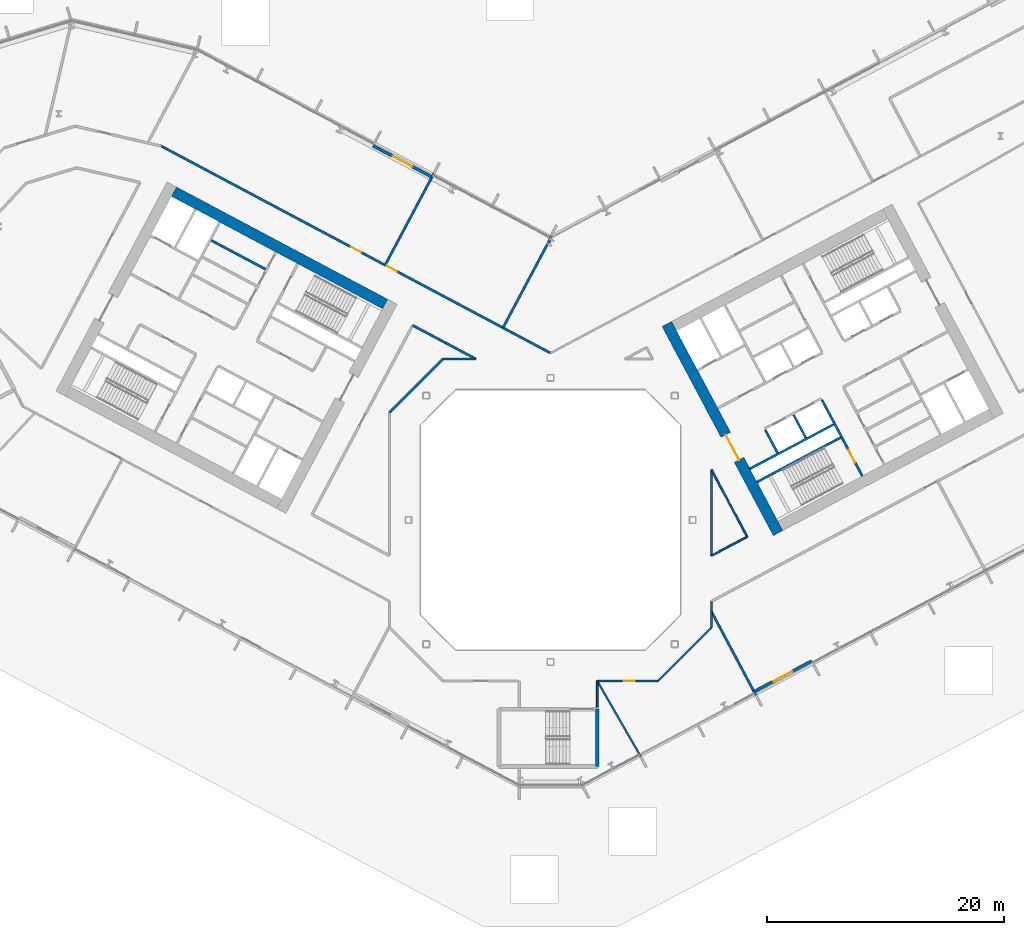
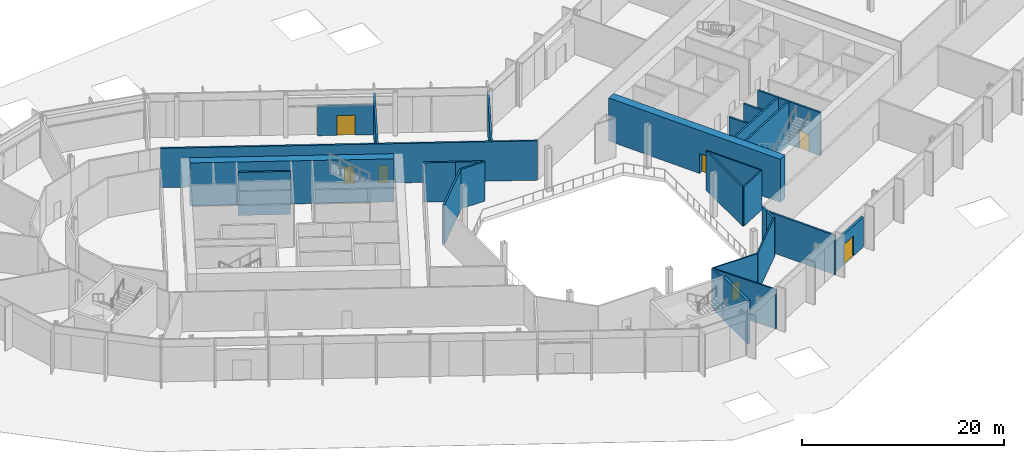
# One storey, part 14 of 30: 28 walls, 7 doors, 7 openings.
"""IFC4 building model written with IfcOpenShell, lengths in metres."""

from ifc_helpers import new_model, si_unit, direction, frame, frame_2d, origin, place, context, subcontext, project, spatial, rectangle, extrude, material, layer, layer_set, type_object, element, fill, save


model = new_model("IFC4")

# Units and contexts
model_context = context("Model", 3, precision=1e-05, world=origin(), true_north=direction((0.0, 1.0)))
body_context = subcontext(model_context, "Body", "Model", "MODEL_VIEW")
ifc_project = project(units=[si_unit("LENGTHUNIT", "METRE"), si_unit("AREAUNIT", "SQUARE_METRE"), si_unit("VOLUMEUNIT", "CUBIC_METRE"), si_unit("PLANEANGLEUNIT", "RADIAN"), si_unit("MASSUNIT", "GRAM", prefix="KILO")], contexts=[model_context])

# Site, building, storey
site_placement = place(None, origin())
site = spatial("IfcSite", under=ifc_project, at=site_placement, CompositionType="ELEMENT")
building_placement = place(site_placement, origin())
building = spatial("IfcBuilding", under=site, at=building_placement, Name="Cormorant Relay Tower", CompositionType="ELEMENT")
storey_placement = place(building_placement, frame((0.0, 0.0, 7.0)))
storey = spatial("IfcBuildingStorey", under=building, at=storey_placement, Name="L01", CompositionType="ELEMENT", Elevation=7.0)

# Walls
ifc_material_1 = material(Name="Concrete 40 MPa", Category="concrete")
ifc_layer_1 = layer(ifc_material_1, 0.199951171875)
ifc_layer_set_1 = layer_set([ifc_layer_1], Name="Core internal wall 200")
wall_type_1 = type_object("IfcWallType", Name="Core internal wall 200", PredefinedType="SOLIDWALL", material=ifc_layer_set_1)
wall_1_placement = place(storey_placement, frame((-24.073974609375, 21.181396484375, 0.0), z_axis=(0.0, 0.0, 1.0), x_axis=(-0.882953967957, 0.469459572775, 0.0)))
element("IfcWall", 1, at=wall_1_placement, inside=storey, type_object=wall_type_1, Name="L01 core A shaft and room wall", PredefinedType="SOLIDWALL", context=body_context, shape_type="SweptSolid", body=[
    extrude(rectangle(XDim=5.199951171875, YDim=0.199951171875, at=frame_2d((2.60009765625, 0.0))), origin(), (0.0, 0.0, 1.0), 5.199951171875),
])
wall_2_placement = place(storey_placement, frame((21.567626953125, 6.9375, 0.0), z_axis=(0.0, 0.0, 1.0), x_axis=(-0.469533832133, 0.882914480843, 0.0)))
element("IfcWall", 2, at=wall_2_placement, inside=storey, type_object=wall_type_1, Name="L01 core B shaft and room wall", PredefinedType="SOLIDWALL", context=body_context, shape_type="SweptSolid", body=[
    extrude(rectangle(XDim=2.199951171875, YDim=0.199951171875, at=frame_2d((1.10009765625, 0.0))), origin(), (0.0, 0.0, 1.0), 5.199951171875),
])
ifc_material_2 = material(Name="Concrete 50 MPa", Category="concrete")
ifc_layer_2 = layer(ifc_material_2, 0.199951171875)
ifc_layer_set_2 = layer_set([ifc_layer_2], Name="Core shaft wall 200")
wall_type_2 = type_object("IfcWallType", Name="Core shaft wall 200", PredefinedType="SHEAR", material=ifc_layer_set_2)
wall_3_placement = place(storey_placement, frame((19.18359375, 5.669921875, 0.0), z_axis=(0.0, 0.0, 1.0), x_axis=(-0.4694473164, 0.882960484464, 0.0)))
element("IfcWall", 3, at=wall_3_placement, inside=storey, type_object=wall_type_2, Name="L01 core B shaft wall", PredefinedType="SHEAR", context=body_context, shape_type="SweptSolid", body=[
    extrude(rectangle(XDim=2.199951171875, YDim=0.199951171875, at=frame_2d((1.10009765625, 0.0))), origin(), (0.0, 0.0, 1.0), 5.199951171875),
])

# Wall, opening, door
wall_4_placement = place(storey_placement, frame((26.345947265625, 3.701904296875, 0.0), z_axis=(0.0, 0.0, 1.0), x_axis=(-0.469480409012, 0.88294288918, 0.0)))
wall_4 = element("IfcWall", 4, at=wall_4_placement, inside=storey, type_object=wall_type_2, Name="L01 core B shaft wall", PredefinedType="SHEAR", context=body_context, shape_type="SweptSolid", body=[
    extrude(rectangle(XDim=7.300048828125, YDim=0.199951171875, at=frame_2d((3.64990234375, 0.0))), origin(), (0.0, 0.0, 1.0), 5.199951171875),
])
opening_1_placement = place(wall_4_placement, frame((1.300048828125, 0.0, 0.0)))
opening_1 = element("IfcOpeningElement", 5, at=opening_1_placement, cuts=wall_4, Name="Opening CDB-016", PredefinedType="OPENING", context=body_context, shape_type="SweptSolid", body=[
    extrude(rectangle(XDim=1.199951171875, YDim=2.10009765625, at=frame_2d((0.60009765625, 1.050048828125))), frame((0.0, 0.10986328125, 0.0), z_axis=(0.0, -1.0, 0.0), x_axis=(1.0, 0.0, 0.0)), (0.0, 0.0, 1.0), 0.219970703125),
])
ifc_material_3 = material(Name="Steel fire door", Category="steel")
door_type_1 = type_object("IfcDoorType", Name="Core stair door 1200x2100", OperationType="SINGLE_SWING_LEFT", PredefinedType="DOOR", material=ifc_material_3)
door_1_placement = place(opening_1_placement, origin())
door_1 = element("IfcDoor", 6, at=door_1_placement, inside=storey, type_object=door_type_1, Name="Core stair door 1200x2100", OperationType="SINGLE_SWING_RIGHT", OverallHeight=2.10009765625, OverallWidth=1.199951171875, PredefinedType="DOOR", context=body_context, shape_type="SweptSolid", body=[
    extrude(rectangle(XDim=1.199951171875, YDim=2.10009765625, at=frame_2d((0.60009765625, 1.050048828125))), frame((0.0, 0.02490234375, 0.0), z_axis=(0.0, -1.0, 0.0), x_axis=(1.0, 0.0, 0.0)), (0.0, 0.0, 1.0), 0.050048828125),
])
fill(opening_1, door_1)

# Walls
for number, where, z_axis, x_axis, name in (
    (7, (17.43359375, 3.210205078125, 0.0), (0.0, 0.0, 1.0), (0.882940221191, 0.469485426614, 0.0), "L01 core B shaft wall"),
    (8, (16.8466796875, 4.31396484375, 0.0), (0.0, 0.0, 1.0), (0.882940221191, 0.469485426614, 0.0), "L01 core B shaft wall"),
):
    element("IfcWall", number, at=place(storey_placement, frame(where, z_axis=z_axis, x_axis=x_axis)), inside=storey, type_object=wall_type_2, Name=name, PredefinedType="SHEAR", context=body_context, shape_type="SweptSolid", body=[
        extrude(rectangle(XDim=8.0, YDim=0.199951171875, at=frame_2d((4.0, 0.0))), origin(), (0.0, 0.0, 1.0), 5.199951171875),
    ])
ifc_material_4 = material(Name="Concrete 70 MPa", Category="concrete")
ifc_layer_3 = layer(ifc_material_4, 0.89990234375)
ifc_layer_set_3 = layer_set([ifc_layer_3], Name="Core wall 900")
wall_type_3 = type_object("IfcWallType", Name="Core wall 900", PredefinedType="SHEAR", material=ifc_layer_set_3)
wall_5_placement = place(storey_placement, frame((-13.97021484375, 18.244140625, 0.0), z_axis=(0.0, 0.0, 1.0), x_axis=(-0.88294509198, 0.469476266226, 0.0)))
element("IfcWall", 9, at=wall_5_placement, inside=storey, type_object=wall_type_3, Name="L01 core A wall", PredefinedType="SHEAR", context=body_context, shape_type="SweptSolid", body=[
    extrude(rectangle(XDim=20.199951171875, YDim=0.89990234375, at=frame_2d((10.10009765625, 0.0))), origin(), (0.0, 0.0, 1.0), 5.199951171875),
])

# Wall, opening, door
wall_6_placement = place(storey_placement, frame((19.21923828125, -1.106689453125, 0.0), z_axis=(0.0, 0.0, 1.0), x_axis=(-0.46947084998, 0.882947971864, 0.0)))
wall_6 = element("IfcWall", 10, at=wall_6_placement, inside=storey, type_object=wall_type_3, Name="L01 core B wall", PredefinedType="SHEAR", context=body_context, shape_type="SweptSolid", body=[
    extrude(rectangle(XDim=20.0, YDim=0.89990234375, at=frame_2d((10.0, 0.0))), origin(), (0.0, 0.0, 1.0), 5.199951171875),
])
opening_2_placement = place(wall_6_placement, frame((7.0, 0.0, 0.0)))
opening_2 = element("IfcOpeningElement", 11, at=opening_2_placement, cuts=wall_6, Name="Opening CDA-011", PredefinedType="OPENING", context=body_context, shape_type="SweptSolid", body=[
    extrude(rectangle(XDim=2.39990234375, YDim=2.39990234375, at=frame_2d((1.199951171875, 1.199951171875))), frame((0.0, 0.4599609375, 0.0), z_axis=(0.0, -1.0, 0.0), x_axis=(1.0, 0.0, 0.0)), (0.0, 0.0, 1.0), 0.919921875),
])
ifc_material_5 = material(Name="Steel fire door", Category="steel")
door_type_2 = type_object("IfcDoorType", Name="Core lobby door 2400x2400", OperationType="DOUBLE_DOOR_SINGLE_SWING", PredefinedType="DOOR", material=ifc_material_5)
door_2_placement = place(opening_2_placement, frame((2.39990234375, 0.0, 0.0), z_axis=(0.0, 0.0, 1.0), x_axis=(-1.0, 0.0, 0.0)))
door_2 = element("IfcDoor", 12, at=door_2_placement, inside=storey, type_object=door_type_2, Name="Core lobby door 2400x2400", OperationType="DOUBLE_DOOR_SINGLE_SWING", OverallHeight=2.39990234375, OverallWidth=2.39990234375, PredefinedType="DOOR", context=body_context, shape_type="SweptSolid", body=[
    extrude(rectangle(XDim=2.39990234375, YDim=2.39990234375, at=frame_2d((1.199951171875, 1.199951171875))), frame((0.0, 0.02490234375, 0.0), z_axis=(0.0, -1.0, 0.0), x_axis=(1.0, 0.0, 0.0)), (0.0, 0.0, 1.0), 0.050048828125),
])
fill(opening_2, door_2)

# Wall, openings, doors
ifc_material_6 = material(Name="Fire-rated gypsum board partition")
ifc_layer_4 = layer(ifc_material_6, 0.199951171875)
ifc_layer_set_4 = layer_set([ifc_layer_4], Name="Fire-rated gypsum partition 200")
wall_type_4 = type_object("IfcWallType", Name="Fire-rated gypsum partition 200", PredefinedType="PARTITIONING", material=ifc_layer_set_4)
wall_7_placement = place(storey_placement, frame((-32.89404296875, 31.590087890625, 0.0), z_axis=(0.0, 0.0, 1.0), x_axis=(0.882948512555, -0.469469833085, 0.0)))
wall_7 = element("IfcWall", 13, at=wall_7_placement, inside=storey, type_object=wall_type_4, Name="wall/L01/part/34", PredefinedType="PARTITIONING", context=body_context, shape_type="SweptSolid", body=[
    extrude(rectangle(XDim=37.2548828125, YDim=0.199951171875, at=frame_2d((18.62744140625, 0.0))), origin(), (0.0, 0.0, 1.0), 4.75),
])
opening_3_placement = place(wall_7_placement, frame((21.550048828125, 0.0, 0.0)))
opening_3 = element("IfcOpeningElement", 14, at=opening_3_placement, cuts=wall_7, Name="Opening FD1-002", PredefinedType="OPENING", context=body_context, shape_type="SweptSolid", body=[
    extrude(rectangle(XDim=1.0, YDim=2.10009765625, at=frame_2d((0.5, 1.050048828125))), frame((0.0, 0.10986328125, 0.0), z_axis=(0.0, -1.0, 0.0), x_axis=(1.0, 0.0, 0.0)), (0.0, 0.0, 1.0), 0.219970703125),
])
opening_4_placement = place(wall_7_placement, frame((18.14990234375, 0.0, 0.0)))
opening_4 = element("IfcOpeningElement", 15, at=opening_4_placement, cuts=wall_7, Name="Opening FD1-003", PredefinedType="OPENING", context=body_context, shape_type="SweptSolid", body=[
    extrude(rectangle(XDim=1.0, YDim=2.10009765625, at=frame_2d((0.5, 1.050048828125))), frame((0.0, 0.10986328125, 0.0), z_axis=(0.0, -1.0, 0.0), x_axis=(1.0, 0.0, 0.0)), (0.0, 0.0, 1.0), 0.219970703125),
])
ifc_material_7 = material(Name="Fire-rated steel door", Category="steel")
door_type_3 = type_object("IfcDoorType", Name="Fire door 1000 x 2100", OperationType="SINGLE_SWING_LEFT", PredefinedType="DOOR", material=ifc_material_7)
door_3_placement = place(opening_3_placement, origin())
door_3 = element("IfcDoor", 16, at=door_3_placement, inside=storey, type_object=door_type_3, Name="door/L01/12", OperationType="SINGLE_SWING_LEFT", OverallHeight=2.10009765625, OverallWidth=1.0, PredefinedType="DOOR", context=body_context, shape_type="SweptSolid", body=[
    extrude(rectangle(XDim=1.0, YDim=2.10009765625, at=frame_2d((0.5, 1.050048828125))), frame((0.0, 0.02490234375, 0.0), z_axis=(0.0, -1.0, 0.0), x_axis=(1.0, 0.0, 0.0)), (0.0, 0.0, 1.0), 0.050048828125),
])
fill(opening_3, door_3)
door_4_placement = place(opening_4_placement, origin())
door_4 = element("IfcDoor", 17, at=door_4_placement, inside=storey, type_object=door_type_3, Name="door/L01/13", OperationType="SINGLE_SWING_RIGHT", OverallHeight=2.10009765625, OverallWidth=1.0, PredefinedType="DOOR", context=body_context, shape_type="SweptSolid", body=[
    extrude(rectangle(XDim=1.0, YDim=2.10009765625, at=frame_2d((0.5, 1.050048828125))), frame((0.0, 0.02490234375, 0.0), z_axis=(0.0, -1.0, 0.0), x_axis=(1.0, 0.0, 0.0)), (0.0, 0.0, 1.0), 0.050048828125),
])
fill(opening_4, door_4)

# Walls
wall_8_placement = place(storey_placement, frame((-9.864013671875, 29.2548828125, 0.0), z_axis=(0.0, 0.0, 1.0), x_axis=(-0.469472759909, -0.882946956336, 0.0)))
element("IfcWall", 18, at=wall_8_placement, inside=storey, type_object=wall_type_4, Name="wall/L01/part/36", PredefinedType="PARTITIONING", context=body_context, shape_type="SweptSolid", body=[
    extrude(rectangle(XDim=8.75, YDim=0.199951171875, at=frame_2d((4.375, 0.0))), origin(), (0.0, 0.0, 1.0), 4.75),
])
wall_9_placement = place(storey_placement, frame((-11.64404296875, 16.44091796875, 0.0), z_axis=(0.0, 0.0, 1.0), x_axis=(0.882853947977, -0.469647640834, 0.0)))
element("IfcWall", 19, at=wall_9_placement, inside=storey, type_object=wall_type_4, Name="wall/L01/part/38", PredefinedType="PARTITIONING", context=body_context, shape_type="SweptSolid", body=[
    extrude(rectangle(XDim=3.1533203125, YDim=0.199951171875, at=frame_2d((1.57666015625, 0.0))), origin(), (0.0, 0.0, 1.0), 4.75),
])
wall_10_placement = place(storey_placement, frame((-13.60009765625, 9.076904296875, 0.0), z_axis=(0.0, 0.0, 1.0), x_axis=(0.707106781187, 0.707106781187, 0.0)))
element("IfcWall", 20, at=wall_10_placement, inside=storey, type_object=wall_type_4, Name="wall/L01/part/41", PredefinedType="PARTITIONING", context=body_context, shape_type="SweptSolid", body=[
    extrude(rectangle(XDim=6.396728515625, YDim=0.199951171875, at=frame_2d((3.1982421875, 0.0))), origin(), (0.0, 0.0, 1.0), 4.75),
])
wall_11_placement = place(storey_placement, frame((0.10498046875, 23.98388671875, 0.0), z_axis=(0.0, 0.0, 1.0), x_axis=(-0.469364726907, -0.883004390213, 0.0)))
element("IfcWall", 21, at=wall_11_placement, inside=storey, type_object=wall_type_4, Name="wall/L01/part/44", PredefinedType="PARTITIONING", context=body_context, shape_type="SweptSolid", body=[
    extrude(rectangle(XDim=8.775390625, YDim=0.199951171875, at=frame_2d((4.3876953125, 0.0))), origin(), (0.0, 0.0, 1.0), 4.75),
])
wall_12_placement = place(storey_placement, frame((-6.301025390625, 13.60009765625, 0.0), z_axis=(0.0, 0.0, 1.0), x_axis=(-1.0, 0.0, 0.0)))
element("IfcWall", 22, at=wall_12_placement, inside=storey, type_object=wall_type_4, Name="wall/L01/part/45", PredefinedType="PARTITIONING", context=body_context, shape_type="SweptSolid", body=[
    extrude(rectangle(XDim=2.77587890625, YDim=0.199951171875, at=frame_2d((1.387939453125, 0.0))), origin(), (0.0, 0.0, 1.0), 4.75),
])
wall_13_placement = place(storey_placement, frame((-6.301025390625, 13.60009765625, 0.0), z_axis=(0.0, 0.0, 1.0), x_axis=(-0.883065539011, 0.469249671083, 0.0)))
element("IfcWall", 23, at=wall_13_placement, inside=storey, type_object=wall_type_4, Name="wall/L01/part/46", PredefinedType="PARTITIONING", context=body_context, shape_type="SweptSolid", body=[
    extrude(rectangle(XDim=2.89794921875, YDim=0.199951171875, at=frame_2d((1.448974609375, 0.0))), origin(), (0.0, 0.0, 1.0), 4.75),
])
wall_14_placement = place(storey_placement, frame((13.60009765625, -7.756103515625, 0.0), z_axis=(0.0, 0.0, 1.0), x_axis=(0.0, -1.0, 0.0)))
element("IfcWall", 24, at=wall_14_placement, inside=storey, type_object=wall_type_4, Name="wall/L01/part/51", PredefinedType="PARTITIONING", context=body_context, shape_type="SweptSolid", body=[
    extrude(rectangle(XDim=1.32080078125, YDim=0.199951171875, at=frame_2d((0.660400390625, 0.0))), origin(), (0.0, 0.0, 1.0), 4.75),
])
wall_15_placement = place(storey_placement, frame((13.60009765625, -7.75, 0.0), z_axis=(0.0, 0.0, 1.0), x_axis=(0.469489555723, -0.882938025609, 0.0)))
element("IfcWall", 25, at=wall_15_placement, inside=storey, type_object=wall_type_4, Name="wall/L01/part/55", PredefinedType="PARTITIONING", context=body_context, shape_type="SweptSolid", body=[
    extrude(rectangle(XDim=7.972412109375, YDim=0.199951171875, at=frame_2d((3.986328125, 0.0))), origin(), (0.0, 0.0, 1.0), 4.75),
])
wall_16_placement = place(storey_placement, frame((13.60009765625, -6.868896484375, 0.0), z_axis=(0.0, 0.0, 1.0), x_axis=(0.0, -1.0, 0.0)))
element("IfcWall", 26, at=wall_16_placement, inside=storey, type_object=wall_type_4, Name="wall/L01/part/57", PredefinedType="PARTITIONING", context=body_context, shape_type="SweptSolid", body=[
    extrude(rectangle(XDim=0.88720703125, YDim=0.199951171875, at=frame_2d((0.443603515625, 0.0))), origin(), (0.0, 0.0, 1.0), 4.75),
])

# Wall, opening, door
ifc_material_8 = material(Name="Bronze anodised aluminium cladding on steel stud", Category="steel")
ifc_layer_5 = layer(ifc_material_8, 0.25)
ifc_layer_set_5 = layer_set([ifc_layer_5], Name="Garden entrance wall 250")
wall_type_5 = type_object("IfcWallType", Name="Garden entrance wall 250", PredefinedType="STANDARD", material=ifc_layer_set_5)
wall_17_placement = place(storey_placement, frame((17.190185546875, -14.502197265625, 0.0), z_axis=(0.0, 0.0, 1.0), x_axis=(0.88294935199, 0.469468254326, 0.0)))
wall_17 = element("IfcWall", 27, at=wall_17_placement, inside=storey, type_object=wall_type_5, Name="Garden entrance wall", PredefinedType="STANDARD", context=body_context, shape_type="SweptSolid", body=[
    extrude(rectangle(XDim=5.511962890625, YDim=0.25, at=frame_2d((2.755859375, 0.0))), origin(), (0.0, 0.0, 1.0), 3.612060546875),
])
opening_5_placement = place(wall_17_placement, frame((1.85595703125, 0.0, 0.0)))
opening_5 = element("IfcOpeningElement", 28, at=opening_5_placement, cuts=wall_17, Name="Opening PD7-001", PredefinedType="OPENING", context=body_context, shape_type="SweptSolid", body=[
    extrude(rectangle(XDim=1.800048828125, YDim=2.39990234375, at=frame_2d((0.89990234375, 1.199951171875))), frame((0.0, 0.135009765625, 0.0), z_axis=(0.0, -1.0, 0.0), x_axis=(1.0, 0.0, 0.0)), (0.0, 0.0, 1.0), 0.27001953125),
])
ifc_material_9 = material(Name="Bronze framed glass door", Category="glass")
door_type_4 = type_object("IfcDoorType", Name="Door garden glazed 1800", OperationType="DOUBLE_DOOR_SINGLE_SWING", PredefinedType="DOOR", material=ifc_material_9)
door_5_placement = place(opening_5_placement, frame((1.800048828125, 0.0, 0.0), z_axis=(0.0, 0.0, 1.0), x_axis=(-1.0, 0.0, 0.0)))
door_5 = element("IfcDoor", 29, at=door_5_placement, inside=storey, type_object=door_type_4, Name="Garden door", OperationType="DOUBLE_DOOR_SINGLE_SWING", OverallHeight=2.39990234375, OverallWidth=1.800048828125, PredefinedType="DOOR", context=body_context, shape_type="SweptSolid", body=[
    extrude(rectangle(XDim=1.800048828125, YDim=2.39990234375, at=frame_2d((0.89990234375, 1.199951171875))), frame((0.0, 0.02490234375, 0.0), z_axis=(0.0, -1.0, 0.0), x_axis=(1.0, 0.0, 0.0)), (0.0, 0.0, 1.0), 0.050048828125),
])
fill(opening_5, door_5)

wall_18_placement = place(storey_placement, frame((-10.0166015625, 28.96826171875, 0.0), z_axis=(0.0, 0.0, 1.0), x_axis=(-0.882941888563, 0.469482290849, 0.0)))
wall_18 = element("IfcWall", 30, at=wall_18_placement, inside=storey, type_object=wall_type_5, Name="Garden entrance wall", PredefinedType="STANDARD", context=body_context, shape_type="SweptSolid", body=[
    extrude(rectangle(XDim=5.63916015625, YDim=0.25, at=frame_2d((2.819580078125, 0.0))), origin(), (0.0, 0.0, 1.0), 3.612060546875),
])
opening_6_placement = place(wall_18_placement, frame((1.91943359375, 0.0, 0.0)))
opening_6 = element("IfcOpeningElement", 31, at=opening_6_placement, cuts=wall_18, Name="Opening PD7-006", PredefinedType="OPENING", context=body_context, shape_type="SweptSolid", body=[
    extrude(rectangle(XDim=1.800048828125, YDim=2.39990234375, at=frame_2d((0.89990234375, 1.199951171875))), frame((0.0, 0.135009765625, 0.0), z_axis=(0.0, -1.0, 0.0), x_axis=(1.0, 0.0, 0.0)), (0.0, 0.0, 1.0), 0.27001953125),
])
door_6_placement = place(opening_6_placement, frame((1.800048828125, 0.0, 0.0), z_axis=(0.0, 0.0, 1.0), x_axis=(-1.0, 0.0, 0.0)))
door_6 = element("IfcDoor", 32, at=door_6_placement, inside=storey, type_object=door_type_4, Name="Garden door", OperationType="DOUBLE_DOOR_SINGLE_SWING", OverallHeight=2.39990234375, OverallWidth=1.800048828125, PredefinedType="DOOR", context=body_context, shape_type="SweptSolid", body=[
    extrude(rectangle(XDim=1.800048828125, YDim=2.39990234375, at=frame_2d((0.89990234375, 1.199951171875))), frame((0.0, 0.02490234375, 0.0), z_axis=(0.0, -1.0, 0.0), x_axis=(1.0, 0.0, 0.0)), (0.0, 0.0, 1.0), 0.050048828125),
])
fill(opening_6, door_6)

# Walls
ifc_material_10 = material(Name="Gypsum board partition")
ifc_layer_6 = layer(ifc_material_10, 0.14990234375)
ifc_layer_set_6 = layer_set([ifc_layer_6], Name="Gypsum board partition 150")
wall_type_6 = type_object("IfcWallType", Name="Gypsum board partition 150", PredefinedType="PARTITIONING", material=ifc_layer_set_6)
wall_19_placement = place(storey_placement, frame((3.949951171875, -13.60009765625, 0.0), z_axis=(0.0, 0.0, 1.0), x_axis=(0.0, -1.0, 0.0)))
element("IfcWall", 33, at=wall_19_placement, inside=storey, type_object=wall_type_6, Name="wall/L01/part/50", PredefinedType="PARTITIONING", context=body_context, shape_type="SweptSolid", body=[
    extrude(rectangle(XDim=2.239990234375, YDim=0.14990234375, at=frame_2d((1.1201171875, 0.0))), origin(), (0.0, 0.0, 1.0), 4.75),
])
wall_20_placement = place(storey_placement, frame((13.60009765625, -9.076904296875, 0.0), z_axis=(0.0, 0.0, 1.0), x_axis=(-0.707106781187, -0.707106781187, 0.0)))
element("IfcWall", 34, at=wall_20_placement, inside=storey, type_object=wall_type_6, Name="wall/L01/part/52", PredefinedType="PARTITIONING", context=body_context, shape_type="SweptSolid", body=[
    extrude(rectangle(XDim=6.396728515625, YDim=0.14990234375, at=frame_2d((3.1982421875, 0.0))), origin(), (0.0, 0.0, 1.0), 4.75),
])

# Wall, opening, door
wall_21_placement = place(storey_placement, frame((9.076904296875, -13.60009765625, 0.0), z_axis=(0.0, 0.0, 1.0), x_axis=(-1.0, 0.0, 0.0)))
wall_21 = element("IfcWall", 35, at=wall_21_placement, inside=storey, type_object=wall_type_6, Name="wall/L01/part/53", PredefinedType="PARTITIONING", context=body_context, shape_type="SweptSolid", body=[
    extrude(rectangle(XDim=5.126953125, YDim=0.14990234375, at=frame_2d((2.5634765625, 0.0))), origin(), (0.0, 0.0, 1.0), 4.75),
])
opening_7_placement = place(wall_21_placement, frame((1.949951171875, 0.0, 0.0)))
opening_7 = element("IfcOpeningElement", 36, at=opening_7_placement, cuts=wall_21, Name="Opening D2-002", PredefinedType="OPENING", context=body_context, shape_type="SweptSolid", body=[
    extrude(rectangle(XDim=0.949951171875, YDim=2.10009765625, at=frame_2d((0.47509765625, 1.050048828125))), frame((0.0, 0.0849609375, 0.0), z_axis=(0.0, -1.0, 0.0), x_axis=(1.0, 0.0, 0.0)), (0.0, 0.0, 1.0), 0.169921875),
])
ifc_material_11 = material(Name="Timber door", Category="wood")
door_type_5 = type_object("IfcDoorType", Name="Toilet door 950 x 2100", OperationType="SINGLE_SWING_LEFT", PredefinedType="DOOR", material=ifc_material_11)
door_7_placement = place(opening_7_placement, origin())
door_7 = element("IfcDoor", 37, at=door_7_placement, inside=storey, type_object=door_type_5, Name="door/L01/3", OperationType="SINGLE_SWING_RIGHT", OverallHeight=2.10009765625, OverallWidth=0.949951171875, PredefinedType="DOOR", context=body_context, shape_type="SweptSolid", body=[
    extrude(rectangle(XDim=0.949951171875, YDim=2.10009765625, at=frame_2d((0.47509765625, 1.050048828125))), frame((0.0, 0.02490234375, 0.0), z_axis=(0.0, -1.0, 0.0), x_axis=(1.0, 0.0, 0.0)), (0.0, 0.0, 1.0), 0.050048828125),
])
fill(opening_7, door_7)

# Walls
wall_22_placement = place(storey_placement, frame((7.60888671875, -19.965087890625, 0.0), z_axis=(0.0, 0.0, 1.0), x_axis=(-0.498375530061, 0.866961262708, 0.0)))
element("IfcWall", 38, at=wall_22_placement, inside=storey, type_object=wall_type_6, Name="wall/L01/part/54", PredefinedType="PARTITIONING", context=body_context, shape_type="SweptSolid", body=[
    extrude(rectangle(XDim=7.341796875, YDim=0.14990234375, at=frame_2d((3.6708984375, 0.0))), origin(), (0.0, 0.0, 1.0), 4.75),
])
wall_23_placement = place(storey_placement, frame((13.60009765625, 4.242919921875, 0.0), z_axis=(0.0, 0.0, 1.0), x_axis=(0.0, -1.0, 0.0)))
element("IfcWall", 39, at=wall_23_placement, inside=storey, type_object=wall_type_6, Name="wall/L01/part/90", PredefinedType="PARTITIONING", context=body_context, shape_type="SweptSolid", body=[
    extrude(rectangle(XDim=7.261962890625, YDim=0.14990234375, at=frame_2d((3.630859375, 0.0))), origin(), (0.0, 0.0, 1.0), 4.75),
])
wall_24_placement = place(storey_placement, frame((13.60009765625, -3.01904296875, 0.0), z_axis=(0.0, 0.0, 1.0), x_axis=(0.8828717575, 0.469614160571, 0.0)))
element("IfcWall", 40, at=wall_24_placement, inside=storey, type_object=wall_type_6, Name="wall/L01/part/91", PredefinedType="PARTITIONING", context=body_context, shape_type="SweptSolid", body=[
    extrude(rectangle(XDim=3.409423828125, YDim=0.14990234375, at=frame_2d((1.70458984375, 0.0))), origin(), (0.0, 0.0, 1.0), 4.75),
])
wall_25_placement = place(storey_placement, frame((16.610107421875, -1.41796875, 0.0), z_axis=(0.0, 0.0, 1.0), x_axis=(-0.469479085554, 0.882943592891, 0.0)))
element("IfcWall", 41, at=wall_25_placement, inside=storey, type_object=wall_type_6, Name="wall/L01/part/92", PredefinedType="PARTITIONING", context=body_context, shape_type="SweptSolid", body=[
    extrude(rectangle(XDim=6.411376953125, YDim=0.14990234375, at=frame_2d((3.20556640625, 0.0))), origin(), (0.0, 0.0, 1.0), 4.75),
])
ifc_material_12 = material(Name="Concrete 50 MPa", Category="concrete")
ifc_layer_7 = layer(ifc_material_12, 0.300048828125)
ifc_layer_set_7 = layer_set([ifc_layer_7], Name="Remote stair wall 300")
wall_type_7 = type_object("IfcWallType", Name="Remote stair wall 300", PredefinedType="SHEAR", material=ifc_layer_set_7)
wall_26_placement = place(storey_placement, frame((3.949951171875, -15.97509765625, 0.0), z_axis=(0.0, 0.0, 1.0), x_axis=(0.0, -1.0, 0.0)))
element("IfcWall", 42, at=wall_26_placement, inside=storey, type_object=wall_type_7, Name="L01 exit stair RK1 wall", PredefinedType="SHEAR", context=body_context, shape_type="SweptSolid", body=[
    extrude(rectangle(XDim=4.849853515625, YDim=0.300048828125, at=frame_2d((2.4248046875, 0.0))), origin(), (0.0, 0.0, 1.0), 5.199951171875),
])

save(model, "model.ifc")
